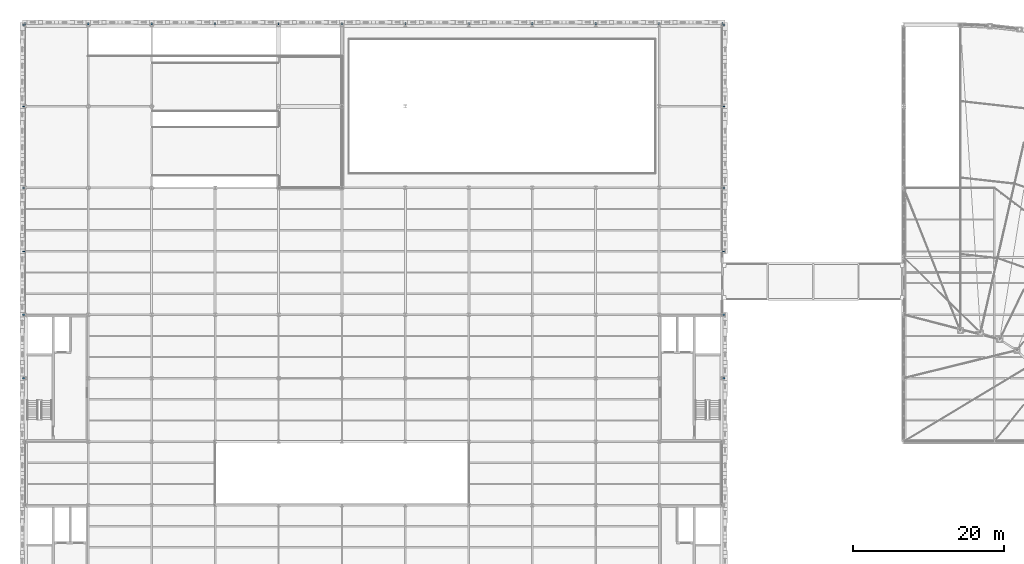
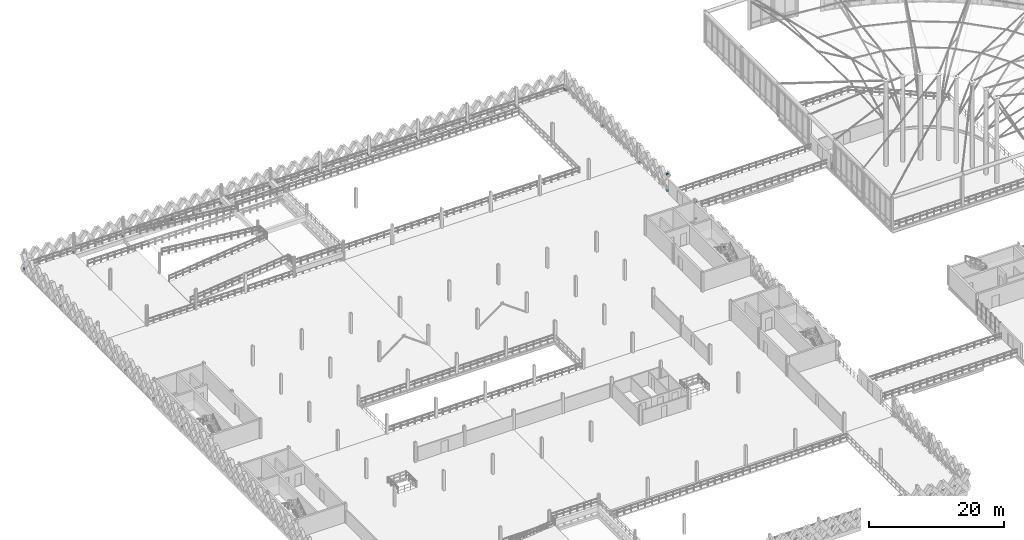
# One storey, part 64 of 101: 26 members.
"""IFC4 building model written with IfcOpenShell, lengths in metres."""

from ifc_helpers import new_model, si_unit, direction, frame, origin, origin_2d, place, context, subcontext, project, spatial, hollow_rectangle, extrude, material, material_profile, profile_set, type_object, element, save


model = new_model("IFC4")

# Units and contexts
model_context = context("Model", 3, precision=1e-05, world=origin(), true_north=direction((0.0, 1.0)))
body_context = subcontext(model_context, "Body", "Model", "MODEL_VIEW")
ifc_project = project(units=[si_unit("LENGTHUNIT", "METRE"), si_unit("AREAUNIT", "SQUARE_METRE"), si_unit("VOLUMEUNIT", "CUBIC_METRE"), si_unit("PLANEANGLEUNIT", "RADIAN"), si_unit("MASSUNIT", "GRAM", prefix="KILO"), si_unit("THERMODYNAMICTEMPERATUREUNIT", "KELVIN"), si_unit("POWERUNIT", "WATT")], contexts=[model_context])

# Site, building, storey
site_placement = place(None, origin())
site = spatial("IfcSite", under=ifc_project, at=site_placement, CompositionType="ELEMENT")
building_placement = place(site_placement, origin())
building = spatial("IfcBuilding", under=site, at=building_placement, Name="Tembeka Court Mobility Hub", CompositionType="ELEMENT")
storey_placement = place(building_placement, frame((0.0, 0.0, 5.39990234375)))
storey = spatial("IfcBuildingStorey", under=building, at=storey_placement, Name="L01", CompositionType="ELEMENT", Elevation=5.39990234375)

# Members
ifc_material = material(Name="Steel S355", Category="steel")
ifc_material_profile = material_profile(ifc_material, hollow_rectangle(XDim=0.14990234375, YDim=0.300048828125, WallThickness=0.010009765625, at=origin_2d()), Name="RHS 300x150x10")
ifc_profile_set = profile_set([ifc_material_profile], Name="Steel S355")
member_type = type_object("IfcMemberType", Name="MEM-ST03", PredefinedType="STRUT", material=ifc_profile_set)
for number, where, z_axis, x_axis, name in (
    (1, (0.0, 118.800048828125, 0.02001953125), (0.0, 1.0, 0.0), (-1.0, 0.0, 0.0), "Lattice outrigger tie SR03 (L01-Y-0)"),
    (2, (8.39990234375, 118.800048828125, 0.02001953125), (0.0, 1.0, 0.0), (-1.0, 0.0, 0.0), "Lattice outrigger tie SR03 (L01-Y-8)"),
    (3, (16.800048828125, 118.800048828125, 0.02001953125), (0.0, 1.0, 0.0), (-1.0, 0.0, 0.0), "Lattice outrigger tie SR03 (L01-Y-16)"),
    (4, (25.199951171875, 118.800048828125, 0.02001953125), (0.0, 1.0, 0.0), (-1.0, 0.0, 0.0), "Lattice outrigger tie SR03 (L01-Y-25)"),
    (5, (33.60009765625, 118.800048828125, 0.02001953125), (0.0, 1.0, 0.0), (-1.0, 0.0, 0.0), "Lattice outrigger tie SR03 (L01-Y-33)"),
    (6, (42.0, 118.800048828125, 0.02001953125), (0.0, 1.0, 0.0), (-1.0, 0.0, 0.0), "Lattice outrigger tie SR03 (L01-Y-42)"),
    (7, (50.39990234375, 118.800048828125, 0.02001953125), (0.0, 1.0, 0.0), (-1.0, 0.0, 0.0), "Lattice outrigger tie SR03 (L01-Y-50)"),
    (8, (58.800048828125, 118.800048828125, 0.02001953125), (0.0, 1.0, 0.0), (-1.0, 0.0, 0.0), "Lattice outrigger tie SR03 (L01-Y-58)"),
    (9, (67.199951171875, 118.800048828125, 0.02001953125), (0.0, 1.0, 0.0), (-1.0, 0.0, 0.0), "Lattice outrigger tie SR03 (L01-Y-67)"),
    (10, (75.60009765625, 118.800048828125, 0.02001953125), (0.0, 1.0, 0.0), (-1.0, 0.0, 0.0), "Lattice outrigger tie SR03 (L01-Y-75)"),
    (11, (84.0, 118.800048828125, 0.02001953125), (0.0, 1.0, 0.0), (-1.0, 0.0, 0.0), "Lattice outrigger tie SR03 (L01-Y-84)"),
    (12, (92.39990234375, 118.800048828125, 0.02001953125), (0.0, 1.0, 0.0), (-1.0, 0.0, 0.0), "Lattice outrigger tie SR03 (L01-Y-92)"),
):
    element("IfcMember", number, at=place(storey_placement, frame(where, z_axis=z_axis, x_axis=x_axis)), inside=storey, type_object=member_type, Name=name, PredefinedType="STRUT", context=body_context, shape_type="SweptSolid", body=[
        extrude(hollow_rectangle(XDim=0.14990234375, YDim=0.300048828125, WallThickness=0.010009765625, at=origin_2d()), origin(), (0.0, 0.0, 1.0), 0.33984375),
    ])
for number, where, z_axis, x_axis, name in (
    (13, (0.0, 72.0, 0.02001953125), (-1.0, 0.0, 0.0), (0.0, -1.0, 0.0), "Lattice outrigger tie SR03 (L01-X-72)"),
    (14, (92.39990234375, 72.0, 0.02001953125), (1.0, 0.0, 0.0), (0.0, 1.0, 0.0), "Lattice outrigger tie SR03 (L01-X-72)"),
    (15, (0.0, 80.39990234375, 0.02001953125), (-1.0, 0.0, 0.0), (0.0, -1.0, 0.0), "Lattice outrigger tie SR03 (L01-X-80)"),
    (16, (92.39990234375, 80.39990234375, 0.02001953125), (1.0, 0.0, 0.0), (0.0, 1.0, 0.0), "Lattice outrigger tie SR03 (L01-X-80)"),
    (17, (92.39990234375, 80.39990234375, 2.9501953125), (1.0, 0.0, 0.0), (0.0, 1.0, 0.0), "Lattice portal top outrigger tie SR03 (L01-X-80)"),
    (18, (0.0, 88.800048828125, 0.02001953125), (-1.0, 0.0, 0.0), (0.0, -1.0, 0.0), "Lattice outrigger tie SR03 (L01-X-88)"),
    (19, (92.39990234375, 88.800048828125, 0.02001953125), (1.0, 0.0, 0.0), (0.0, 1.0, 0.0), "Lattice outrigger tie SR03 (L01-X-88)"),
    (20, (92.39990234375, 88.800048828125, 2.9501953125), (1.0, 0.0, 0.0), (0.0, 1.0, 0.0), "Lattice portal top outrigger tie SR03 (L01-X-88)"),
    (21, (0.0, 97.199951171875, 0.02001953125), (-1.0, 0.0, 0.0), (0.0, -1.0, 0.0), "Lattice outrigger tie SR03 (L01-X-97)"),
    (22, (92.39990234375, 97.199951171875, 0.02001953125), (1.0, 0.0, 0.0), (0.0, 1.0, 0.0), "Lattice outrigger tie SR03 (L01-X-97)"),
    (23, (0.0, 108.0, 0.02001953125), (-1.0, 0.0, 0.0), (0.0, -1.0, 0.0), "Lattice outrigger tie SR03 (L01-X-108)"),
    (24, (92.39990234375, 108.0, 0.02001953125), (1.0, 0.0, 0.0), (0.0, 1.0, 0.0), "Lattice outrigger tie SR03 (L01-X-108)"),
    (25, (0.0, 118.800048828125, 0.02001953125), (-1.0, 0.0, 0.0), (0.0, -1.0, 0.0), "Lattice outrigger tie SR03 (L01-X-118)"),
    (26, (92.39990234375, 118.800048828125, 0.02001953125), (1.0, 0.0, 0.0), (0.0, 1.0, 0.0), "Lattice outrigger tie SR03 (L01-X-118)"),
):
    element("IfcMember", number, at=place(storey_placement, frame(where, z_axis=z_axis, x_axis=x_axis)), inside=storey, type_object=member_type, Name=name, PredefinedType="STRUT", context=body_context, shape_type="SweptSolid", body=[
        extrude(hollow_rectangle(XDim=0.14990234375, YDim=0.300048828125, WallThickness=0.010009765625, at=origin_2d()), origin(), (0.0, 0.0, 1.0), 0.340087890625),
    ])

save(model, "model.ifc")
